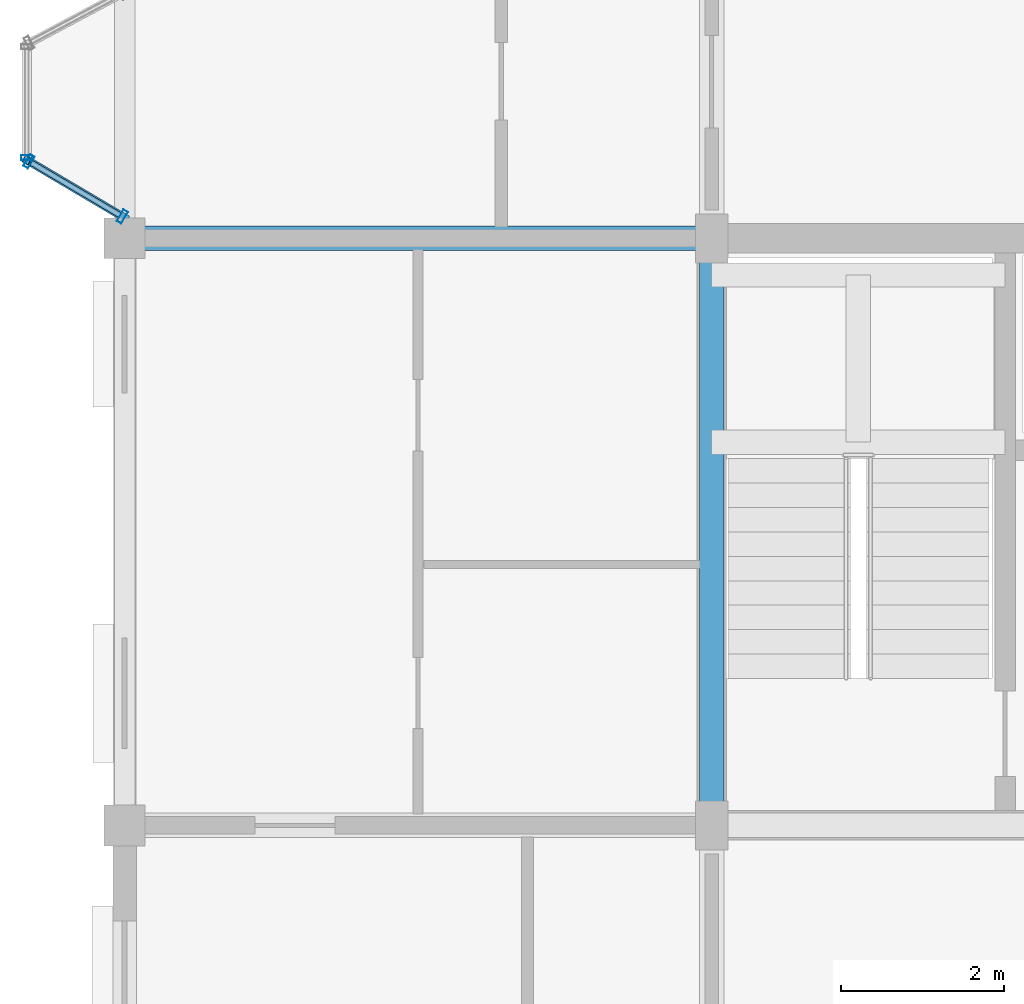
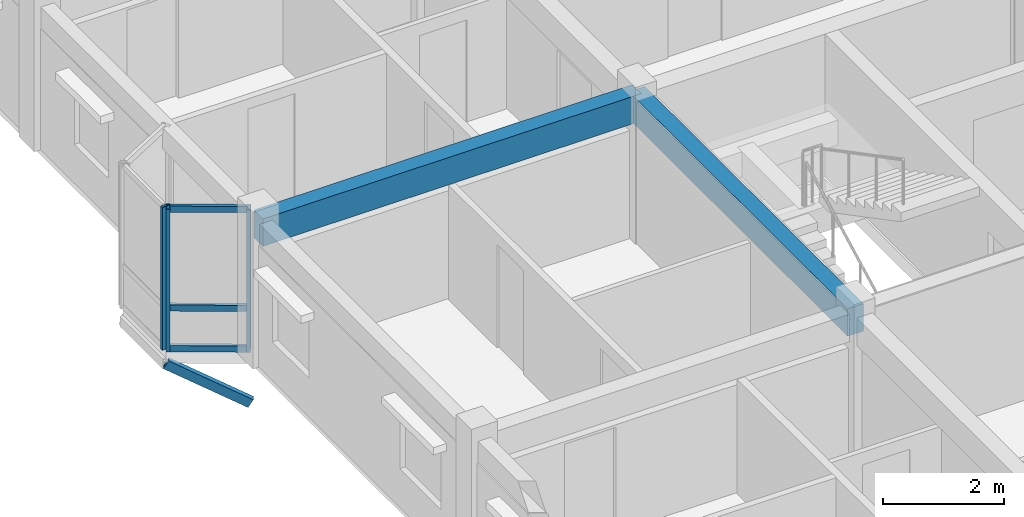
# One storey, part 5 of 38: 7 members, 2 beams, 2 elements without a shape of their own.
"""IFC4 building model written with IfcOpenShell, lengths in metres."""

from ifc_helpers import new_model, si_unit, direction, frame, origin, origin_2d, place, context, subcontext, project, spatial, rectangle, hollow_rectangle, extrude, material, layer, layer_set, material_profile, profile_set, type_object, element, aggregate, save


model = new_model("IFC4")

# Units and contexts
model_context = context("Model", 3, precision=1e-05, world=origin(), true_north=direction((0.0, 1.0)))
body_context = subcontext(model_context, "Body", "Model", "MODEL_VIEW")
ifc_project = project(units=[si_unit("LENGTHUNIT", "METRE"), si_unit("AREAUNIT", "SQUARE_METRE"), si_unit("VOLUMEUNIT", "CUBIC_METRE"), si_unit("PLANEANGLEUNIT", "RADIAN"), si_unit("MASSUNIT", "GRAM", prefix="KILO"), si_unit("THERMODYNAMICTEMPERATUREUNIT", "KELVIN"), si_unit("POWERUNIT", "WATT")], contexts=[model_context])

# Site, building, storey
site_placement = place(None, origin())
site = spatial("IfcSite", under=ifc_project, at=site_placement, CompositionType="ELEMENT")
building_placement = place(site_placement, origin())
building = spatial("IfcBuilding", under=site, at=building_placement, Name="Tavuni Mirador Residences", CompositionType="ELEMENT")
storey_placement = place(building_placement, frame((0.0, 0.0, 32.85009765625)))
storey = spatial("IfcBuildingStorey", under=building, at=storey_placement, Name="L10", CompositionType="ELEMENT", Elevation=32.85009765625)

# Beams
ifc_material_1 = material(Name="Precast concrete C40/50", Category="concrete")
ifc_material_profile_1 = material_profile(ifc_material_1, rectangle(XDim=0.300048828125, YDim=0.550048828125, at=origin_2d()), Name="PC 300x550", Category="concrete")
ifc_profile_set_1 = profile_set([ifc_material_profile_1], Name="Precast concrete C40/50")
beam_type = type_object("IfcBeamType", Name="BT-B550", PredefinedType="BEAM", material=ifc_profile_set_1)
beam_1_placement = place(storey_placement, frame((3.60009765625, 21.60009765625, 2.594970703125), z_axis=(1.0, 0.0, 0.0), x_axis=(0.0, 1.0, 0.0)))
element("IfcBeam", 1, at=beam_1_placement, inside=storey, type_object=beam_type, Name="BMX-BLK-A-L10-00-02", PredefinedType="BEAM", context=body_context, shape_type="SweptSolid", body=[
    extrude(rectangle(XDim=0.300048828125, YDim=0.550048828125, at=origin_2d()), origin(), (0.0, 0.0, 1.0), 7.199951171875),
])
beam_2_placement = place(storey_placement, frame((10.800048828125, 14.39990234375, 2.594970703125), z_axis=(0.0, 1.0, 0.0), x_axis=(-1.0, 0.0, 0.0)))
element("IfcBeam", 2, at=beam_2_placement, inside=storey, type_object=beam_type, Name="BMY-BLK-A-L10-01-01", PredefinedType="BEAM", context=body_context, shape_type="SweptSolid", body=[
    extrude(rectangle(XDim=0.300048828125, YDim=0.550048828125, at=origin_2d()), origin(), (0.0, 0.0, 1.0), 7.2001953125),
])

# Curtain wall, member
ifc_material_2 = material(Name="Anodised aluminium", Category="aluminium")
ifc_layer_1 = layer(ifc_material_2, 0.175048828125, Name="Anodised aluminium", Category="aluminium")
ifc_layer_set_1 = layer_set([ifc_layer_1], Name="Anodised aluminium")
curtain_wall_type_1 = type_object("IfcCurtainWallType", Name="CWT-MIR-C", PredefinedType="NOTDEFINED", material=ifc_layer_set_1)
curtain_wall_1_placement = place(storey_placement, origin())
curtain_wall_1 = element("IfcCurtainWall", 3, at=curtain_wall_1_placement, inside=storey, type_object=curtain_wall_type_1, Name="CW-MIR-A-W2-L10-MF", PredefinedType="NOTDEFINED")
ifc_material_profile_2 = material_profile(ifc_material_2, hollow_rectangle(XDim=0.06005859375, YDim=0.139892578125, WallThickness=0.00390625, at=origin_2d()), Name="ALU 60x140x4.0", Category="aluminium")
ifc_profile_set_2 = profile_set([ifc_material_profile_2], Name="Anodised aluminium")
member_type_1 = type_object("IfcMemberType", Name="CWM-140", PredefinedType="MULLION", material=ifc_profile_set_2)
member_1_placement = place(storey_placement, frame((2.39990234375, 22.590087890625, 0.0), z_axis=(0.0, 0.0, 1.0), x_axis=(0.0, -1.0, 0.0)))
member_1 = element("IfcMember", 4, at=member_1_placement, type_object=member_type_1, Name="CW-03 mullion 2", PredefinedType="MULLION", context=body_context, shape_type="SweptSolid", body=[
    extrude(hollow_rectangle(XDim=0.06005859375, YDim=0.139892578125, WallThickness=0.00390625, at=origin_2d()), origin(), (0.0, 0.0, 1.0), 2.869873046875),
])
aggregate(curtain_wall_1, [member_1])

# Curtain wall, members
ifc_layer_2 = layer(ifc_material_2, 0.159912109375, Name="Anodised aluminium", Category="aluminium")
ifc_layer_set_2 = layer_set([ifc_layer_2], Name="Anodised aluminium")
curtain_wall_type_2 = type_object("IfcCurtainWallType", Name="CWT-MIR-D", PredefinedType="NOTDEFINED", material=ifc_layer_set_2)
curtain_wall_2_placement = place(storey_placement, origin())
curtain_wall_2 = element("IfcCurtainWall", 5, at=curtain_wall_2_placement, inside=storey, type_object=curtain_wall_type_2, Name="CW-MIR-A-W2-L10-M2", PredefinedType="NOTDEFINED")
ifc_material_profile_3 = material_profile(ifc_material_2, hollow_rectangle(XDim=0.06494140625, YDim=0.1650390625, WallThickness=0.00439453125, at=origin_2d()), Name="ALU 65x165x4.5", Category="aluminium")
ifc_profile_set_3 = profile_set([ifc_material_profile_3], Name="Anodised aluminium")
member_type_2 = type_object("IfcMemberType", Name="CWM-165", PredefinedType="MULLION", material=ifc_profile_set_3)
member_2_placement = place(storey_placement, frame((2.427978515625, 22.54345703125, 0.0), z_axis=(0.0, 0.0, 1.0), x_axis=(0.860640830284, -0.509212491254, 0.0)))
member_2 = element("IfcMember", 6, at=member_2_placement, type_object=member_type_2, Name="CW-04 mullion 1", PredefinedType="MULLION", context=body_context, shape_type="SweptSolid", body=[
    extrude(hollow_rectangle(XDim=0.06494140625, YDim=0.1650390625, WallThickness=0.00439453125, at=origin_2d()), origin(), (0.0, 0.0, 1.0), 2.869873046875),
])
member_3_placement = place(storey_placement, frame((3.572021484375, 21.866455078125, 0.0), z_axis=(0.0, 0.0, 1.0), x_axis=(0.860640830284, -0.509212491254, 0.0)))
member_3 = element("IfcMember", 7, at=member_3_placement, type_object=member_type_2, Name="CW-04 mullion 2", PredefinedType="MULLION", context=body_context, shape_type="SweptSolid", body=[
    extrude(hollow_rectangle(XDim=0.06494140625, YDim=0.1650390625, WallThickness=0.00439453125, at=origin_2d()), origin(), (0.0, 0.0, 1.0), 2.869873046875),
])
ifc_material_profile_4 = material_profile(ifc_material_2, hollow_rectangle(XDim=0.06494140625, YDim=0.125, WallThickness=0.00439453125, at=origin_2d()), Name="ALU 65x125x4.5", Category="aluminium")
ifc_profile_set_4 = profile_set([ifc_material_profile_4], Name="Anodised aluminium")
member_type_3 = type_object("IfcMemberType", Name="CWT-125", PredefinedType="USERDEFINED", material=ifc_profile_set_4)
member_4_placement = place(storey_placement, frame((2.4560546875, 22.52685546875, 0.032470703125), z_axis=(0.86059568564, -0.509288784343, 0.0), x_axis=(0.509288784343, 0.86059568564, 0.0)))
member_4 = element("IfcMember", 8, at=member_4_placement, type_object=member_type_3, Name="CW-04 transom 1.1", ObjectType="TRANSOM", PredefinedType="USERDEFINED", context=body_context, shape_type="SweptSolid", body=[
    extrude(hollow_rectangle(XDim=0.06494140625, YDim=0.125, WallThickness=0.00439453125, at=origin_2d()), origin(), (0.0, 0.0, 1.0), 1.26416015625),
])
member_5_placement = place(storey_placement, frame((2.4560546875, 22.52685546875, 0.849853515625), z_axis=(0.86059568564, -0.509288784343, 0.0), x_axis=(0.509288784343, 0.86059568564, 0.0)))
member_5 = element("IfcMember", 9, at=member_5_placement, type_object=member_type_3, Name="CW-04 transom 1.2", ObjectType="TRANSOM", PredefinedType="USERDEFINED", context=body_context, shape_type="SweptSolid", body=[
    extrude(hollow_rectangle(XDim=0.06494140625, YDim=0.125, WallThickness=0.00439453125, at=origin_2d()), origin(), (0.0, 0.0, 1.0), 1.26416015625),
])
member_6_placement = place(storey_placement, frame((2.4560546875, 22.52685546875, 2.83740234375), z_axis=(0.86059568564, -0.509288784343, 0.0), x_axis=(0.509288784343, 0.86059568564, 0.0)))
member_6 = element("IfcMember", 10, at=member_6_placement, type_object=member_type_3, Name="CW-04 transom 1.3", ObjectType="TRANSOM", PredefinedType="USERDEFINED", context=body_context, shape_type="SweptSolid", body=[
    extrude(hollow_rectangle(XDim=0.06494140625, YDim=0.125, WallThickness=0.00439453125, at=origin_2d()), origin(), (0.0, 0.0, 1.0), 1.26416015625),
])
aggregate(curtain_wall_2, [member_2, member_3, member_4, member_5, member_6])

# Member
ifc_material_3 = material(Name="Structural steel S355", Category="steel")
ifc_material_profile_5 = material_profile(ifc_material_3, hollow_rectangle(XDim=0.10009765625, YDim=0.179931640625, WallThickness=0.008056640625, at=origin_2d()), Name="RHS 180x100x8.0", Category="steel")
ifc_profile_set_5 = profile_set([ifc_material_profile_5], Name="Structural steel S355")
member_type_4 = type_object("IfcMemberType", Name="MT-BR-RHS180", PredefinedType="BRACE", material=ifc_profile_set_5)
member_7_placement = place(storey_placement, frame((3.60009765625, 21.85009765625, -1.050048828125), z_axis=(-0.753448798133, 0.445693471312, 0.48339656414), x_axis=(-0.50913035723, -0.860689420957, 0.0)))
element("IfcMember", 11, at=member_7_placement, inside=storey, type_object=member_type_4, Name="MBRK-MIR-A-W2-L10-1", PredefinedType="BRACE", context=body_context, shape_type="SweptSolid", body=[
    extrude(hollow_rectangle(XDim=0.10009765625, YDim=0.179931640625, WallThickness=0.008056640625, at=origin_2d()), origin(), (0.0, 0.0, 1.0), 1.593017578125),
])

save(model, "model.ifc")
